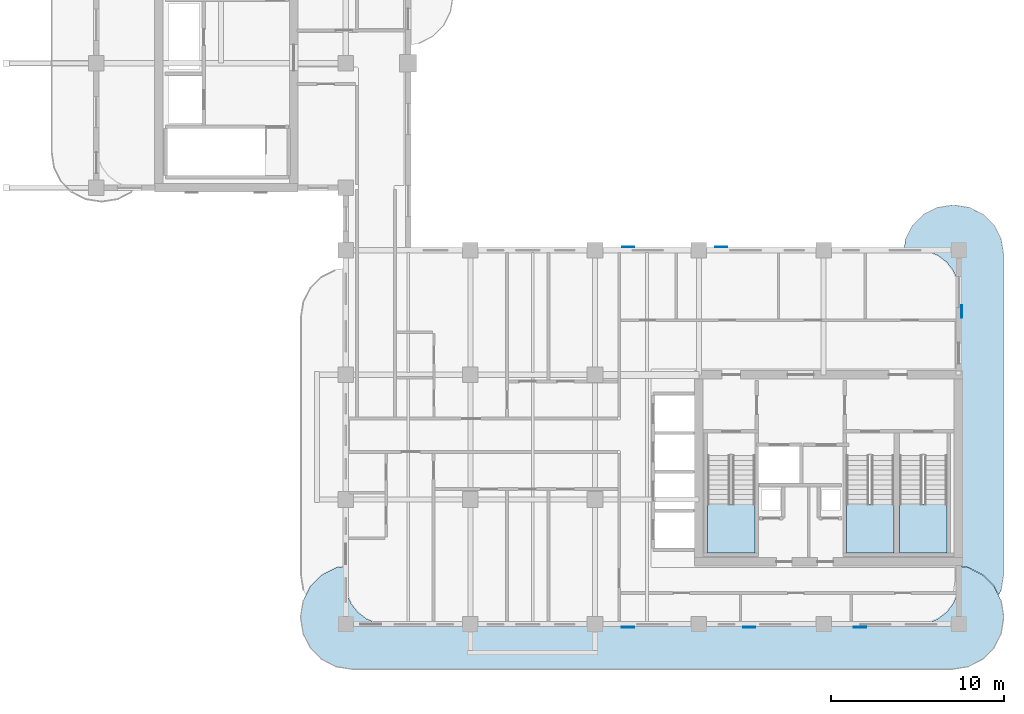
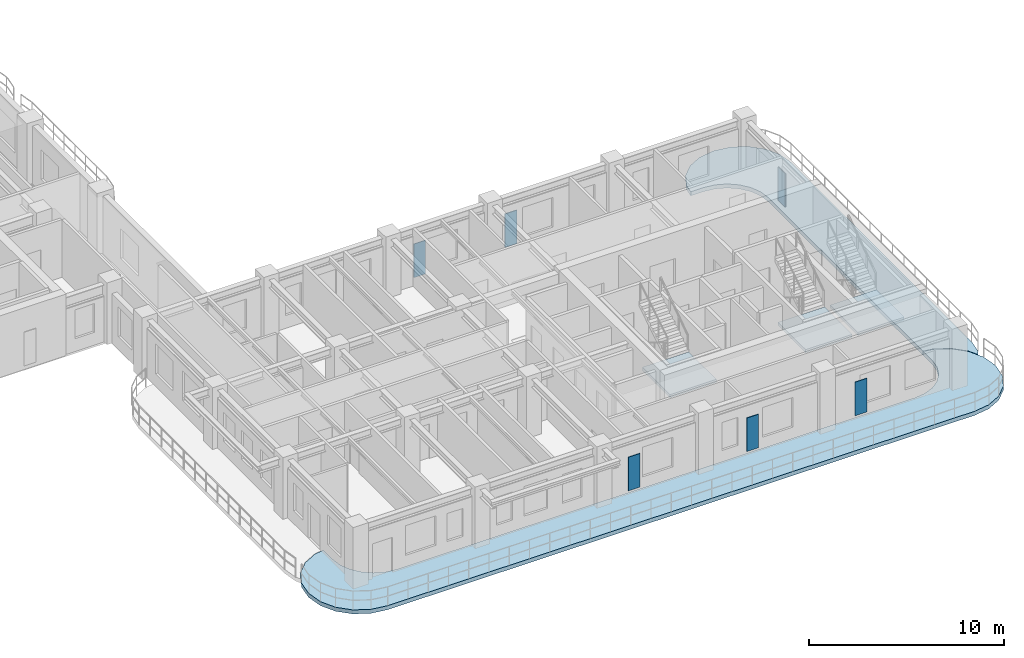
# One storey, part 4 of 14: 6 plates, 5 slabs, 3 elements without a shape of their own.
"""IFC4 building model written with IfcOpenShell, lengths in metres."""

from ifc_helpers import new_model, si_unit, derived_unit, direction, frame, origin, origin_2d, place, context, subcontext, project, spatial, polyline, rectangle, outline, extrude, source, transform, mapped, material, layer, layer_set, type_object, type_shapes, element, aggregate, save


model = new_model("IFC4")

# Units and contexts
model_context = context("Model", 3, precision=1e-05, world=origin(), true_north=direction((0.0, 1.0)))
body_context = subcontext(model_context, "Body", "Model", "MODEL_VIEW")
ifc_project = project(units=[si_unit("LENGTHUNIT", "METRE"), si_unit("AREAUNIT", "SQUARE_METRE"), si_unit("VOLUMEUNIT", "CUBIC_METRE"), si_unit("PLANEANGLEUNIT", "RADIAN"), si_unit("MASSUNIT", "GRAM", prefix="KILO"), si_unit("THERMODYNAMICTEMPERATUREUNIT", "KELVIN"), si_unit("POWERUNIT", "WATT"), derived_unit("THERMALTRANSMITTANCEUNIT", [(si_unit("POWERUNIT", "WATT"), 1), (si_unit("AREAUNIT", "SQUARE_METRE"), -1), (si_unit("THERMODYNAMICTEMPERATUREUNIT", "KELVIN"), -1)])], contexts=[model_context])

# Site, building, storey
site_placement = place(None, origin())
site = spatial("IfcSite", under=ifc_project, at=site_placement, CompositionType="ELEMENT")
building_placement = place(site_placement, origin())
building = spatial("IfcBuilding", under=site, at=building_placement, Name="Zahravan Archway Hotel and Residences", CompositionType="ELEMENT")
storey_placement = place(building_placement, frame((0.0, 0.0, 209.60009765625)))
storey = spatial("IfcBuildingStorey", under=building, at=storey_placement, Name="L52", CompositionType="ELEMENT", Elevation=209.60009765625)

# Slabs
ifc_material_1 = material(Name="Concrete C45/55", Category="concrete")
ifc_layer_1 = layer(ifc_material_1, 0.25, Name="Concrete C45/55", Category="concrete")
ifc_layer_set_1 = layer_set([ifc_layer_1], Name="Concrete C45/55")
slab_type_1 = type_object("IfcSlabType", Name="SLB-BALC-250", PredefinedType="FLOOR", material=ifc_layer_set_1)
slab_1_placement = place(storey_placement, frame((0.0, 0.0, -0.25)))
element("IfcSlab", 1, at=slab_1_placement, inside=storey, type_object=slab_type_1, Name="L52 Wing A South Rounded Balcony Band", PredefinedType="FLOOR", context=body_context, shape_type="SweptSolid", body=[
    extrude(outline(polyline([(50.361572265625, 3.255615234375), (51.18408203125, 2.836669921875), (51.836669921875, 2.18408203125), (52.255615234375, 1.361572265625), (52.39990234375, 0.449951171875), (52.39990234375, 0.35009765625), (52.255615234375, -0.5615234375), (51.836669921875, -1.384033203125), (51.18408203125, -2.03662109375), (50.361572265625, -2.45556640625), (49.449951171875, -2.60009765625), (14.75, -2.60009765625), (13.83837890625, -2.45556640625), (13.01611328125, -2.03662109375), (12.36328125, -1.384033203125), (11.9443359375, -0.5615234375), (11.800048828125, 0.35009765625), (11.800048828125, 0.449951171875), (11.9443359375, 1.361572265625), (12.36328125, 2.18408203125), (13.01611328125, 2.836669921875), (13.83837890625, 3.255615234375), (14.3798828125, 3.34130859375), (14.3798828125, 2.39990234375), (14.380126953125, 2.3974609375), (14.4619140625, 1.776123046875), (14.46240234375, 1.7744140625), (14.462646484375, 1.772705078125), (14.46337890625, 1.77099609375), (14.702880859375, 1.1923828125), (14.703857421875, 1.19091796875), (14.70458984375, 1.189208984375), (14.70556640625, 1.187744140625), (15.0869140625, 0.690673828125), (15.088134765625, 0.689453125), (15.08935546875, 0.688232421875), (15.0908203125, 0.68701171875), (15.587890625, 0.3056640625), (15.58935546875, 0.3046875), (15.5908203125, 0.3037109375), (15.59228515625, 0.302978515625), (16.171142578125, 0.063232421875), (16.1728515625, 0.062744140625), (16.174560546875, 0.062255859375), (16.17626953125, 0.06201171875), (16.79736328125, -0.019775390625), (16.800048828125, -0.02001953125), (47.39990234375, -0.02001953125), (47.402587890625, -0.019775390625), (48.023681640625, 0.06201171875), (48.025390625, 0.062255859375), (48.027099609375, 0.062744140625), (48.02880859375, 0.063232421875), (48.607666015625, 0.302978515625), (48.609130859375, 0.3037109375), (48.610595703125, 0.3046875), (48.6123046875, 0.3056640625), (49.109375, 0.68701171875), (49.110595703125, 0.688232421875), (49.11181640625, 0.689453125), (49.113037109375, 0.690673828125), (49.494384765625, 1.187744140625), (49.495361328125, 1.189208984375), (49.49609375, 1.19091796875), (49.4970703125, 1.1923828125), (49.73681640625, 1.77099609375), (49.7373046875, 1.772705078125), (49.73779296875, 1.7744140625), (49.738037109375, 1.776123046875), (49.81982421875, 2.3974609375), (49.820068359375, 2.39990234375), (49.820068359375, 3.34130859375), (50.361572265625, 3.255615234375)])), origin(), (0.0, 0.0, 1.0), 0.25),
])
slab_2_placement = place(storey_placement, frame((0.0, 0.0, -0.25)))
element("IfcSlab", 2, at=slab_2_placement, inside=storey, type_object=slab_type_1, Name="L52 Wing A East Rounded Balcony Band", PredefinedType="FLOOR", context=body_context, shape_type="SweptSolid", body=[
    extrude(outline(polyline([(46.739501953125, 22.230712890625), (47.144287109375, 23.025146484375), (47.77490234375, 23.65576171875), (48.5693359375, 24.060546875), (49.449951171875, 24.199951171875), (49.550048828125, 24.199951171875), (50.4306640625, 24.060546875), (51.22509765625, 23.65576171875), (51.855712890625, 23.025146484375), (52.260498046875, 22.230712890625), (52.39990234375, 21.35009765625), (52.39990234375, 2.85009765625), (52.260498046875, 1.96923828125), (52.114501953125, 1.6826171875), (51.8544921875, 2.193115234375), (51.853515625, 2.19482421875), (51.85205078125, 2.196533203125), (51.8505859375, 2.197998046875), (51.197998046875, 2.8505859375), (51.196533203125, 2.85205078125), (51.19482421875, 2.853515625), (51.193115234375, 2.8544921875), (50.37060546875, 3.2734375), (50.368896484375, 3.2744140625), (50.36669921875, 3.27490234375), (50.36474609375, 3.275390625), (49.822998046875, 3.361083984375), (49.8212890625, 3.361328125), (49.820068359375, 3.361328125), (49.820068359375, 19.199951171875), (49.81982421875, 19.20263671875), (49.738037109375, 19.82373046875), (49.73779296875, 19.825439453125), (49.7373046875, 19.8271484375), (49.73681640625, 19.828857421875), (49.4970703125, 20.40771484375), (49.49609375, 20.4091796875), (49.495361328125, 20.41064453125), (49.494384765625, 20.412109375), (49.113037109375, 20.9091796875), (49.11181640625, 20.91064453125), (49.110595703125, 20.911865234375), (49.109375, 20.9130859375), (48.6123046875, 21.29443359375), (48.610595703125, 21.29541015625), (48.609130859375, 21.296142578125), (48.607666015625, 21.297119140625), (48.02880859375, 21.53662109375), (48.027099609375, 21.537353515625), (48.025390625, 21.53759765625), (48.023681640625, 21.5380859375), (47.402587890625, 21.619873046875), (47.39990234375, 21.6201171875), (46.642822265625, 21.6201171875), (46.739501953125, 22.230712890625)])), origin(), (0.0, 0.0, 1.0), 0.25),
])

# Stair, slab
ifc_material_2 = material(Name="Concrete C50/60", Category="concrete")
stair_type = type_object("IfcStairType", Name="STR-CORE-1300", PredefinedType="HALF_TURN_STAIR", material=ifc_material_2)
stair_1_placement = place(storey_placement, origin())
stair_1 = element("IfcStair", 3, at=stair_1_placement, inside=storey, type_object=stair_type, Name="L52 Core A Exit Stair 1", PredefinedType="HALF_TURN_STAIR")
ifc_layer_2 = layer(ifc_material_2, 0.199951171875, Name="Concrete C50/60", Category="concrete")
ifc_layer_set_2 = layer_set([ifc_layer_2], Name="Concrete C50/60")
slab_type_2 = type_object("IfcSlabType", Name="SLB-LND-200", PredefinedType="LANDING", material=ifc_layer_set_2)
slab_3_placement = place(storey_placement, frame((0.0, 0.0, 1.724853515625)))
slab_3 = element("IfcSlab", 4, at=slab_3_placement, type_object=slab_type_2, Name="ST-A1 landing 1", PredefinedType="LANDING", context=body_context, shape_type="SweptSolid", body=[
    extrude(outline(polyline([(35.300048828125, 6.929931640625), (35.300048828125, 4.10009765625), (38.0400390625, 4.10009765625), (38.0400390625, 6.929931640625), (35.300048828125, 6.929931640625)])), origin(), (0.0, 0.0, 1.0), 0.199951171875),
])
aggregate(stair_1, [slab_3])

stair_2_placement = place(storey_placement, origin())
stair_2 = element("IfcStair", 5, at=stair_2_placement, inside=storey, type_object=stair_type, Name="L52 Core A Exit Stair 2", PredefinedType="HALF_TURN_STAIR")
slab_4_placement = place(storey_placement, frame((0.0, 0.0, 1.724853515625)))
slab_4 = element("IfcSlab", 6, at=slab_4_placement, type_object=slab_type_2, Name="ST-A2 landing 1", PredefinedType="LANDING", context=body_context, shape_type="SweptSolid", body=[
    extrude(outline(polyline([(43.320068359375, 6.929931640625), (43.320068359375, 4.10009765625), (46.06005859375, 4.10009765625), (46.06005859375, 6.929931640625), (43.320068359375, 6.929931640625)])), origin(), (0.0, 0.0, 1.0), 0.199951171875),
])
aggregate(stair_2, [slab_4])

stair_3_placement = place(storey_placement, origin())
stair_3 = element("IfcStair", 7, at=stair_3_placement, inside=storey, type_object=stair_type, Name="L52 Core A Exit Stair 3", PredefinedType="HALF_TURN_STAIR")
slab_5_placement = place(storey_placement, frame((0.0, 0.0, 1.724853515625)))
slab_5 = element("IfcSlab", 8, at=slab_5_placement, type_object=slab_type_2, Name="ST-A3 landing 1", PredefinedType="LANDING", context=body_context, shape_type="SweptSolid", body=[
    extrude(outline(polyline([(46.39990234375, 6.929931640625), (46.39990234375, 4.10009765625), (49.139892578125, 4.10009765625), (49.139892578125, 6.929931640625), (46.39990234375, 6.929931640625)])), origin(), (0.0, 0.0, 1.0), 0.199951171875),
])
aggregate(stair_3, [slab_5])

# Plates
ifc_material_3 = material(Name="Perforated Cast Bronze Jali Lattice")
ifc_layer_3 = layer(ifc_material_3, 0.044921875, Name="Perforated Cast Bronze Jali Lattice")
ifc_layer_set_3 = layer_set([ifc_layer_3], Name="Perforated Cast Bronze Jali Lattice")
plate_type = type_object("IfcPlateType", Name="PLT-JALI-BAY", PredefinedType="USERDEFINED", material=ifc_layer_set_3)
shared_shape = source(origin(), body_context, "Body", "SweptSolid", [
    extrude(rectangle(XDim=0.699951171875, YDim=0.044921875, at=origin_2d()), origin(), (0.0, 0.0, 1.0), 2.10009765625),
])
type_shapes(plate_type, [shared_shape])
for number, where, z_axis, x_axis, name in (
    (9, (30.7080078125, -0.177978515625, 0.249755859375), (0.0, 0.0, 1.0), (1.0, 0.0, 0.0), "L52 Perforated Bronze Jali Pier Screen 01"),
    (10, (37.7080078125, -0.177978515625, 0.249755859375), (0.0, 0.0, 1.0), (1.0, 0.0, 0.0), "L52 Perforated Bronze Jali Pier Screen 02"),
    (11, (44.10791015625, -0.177978515625, 0.249755859375), (0.0, 0.0, 1.0), (1.0, 0.0, 0.0), "L52 Perforated Bronze Jali Pier Screen 03"),
    (12, (49.97802734375, 18.05908203125, 0.249755859375), (0.0, 0.0, 1.0), (0.0, 1.0, 0.0), "L52 Perforated Bronze Jali Pier Screen 04"),
    (13, (30.708984375, 21.778076171875, 0.249755859375), (0.0, 0.0, 1.0), (1.0, 0.0, 0.0), "L52 Perforated Bronze Jali Pier Screen 05"),
    (14, (36.10009765625, 21.778076171875, 0.249755859375), (0.0, 0.0, 1.0), (1.0, 0.0, 0.0), "L52 Perforated Bronze Jali Pier Screen 06"),
):
    element("IfcPlate", number, at=place(storey_placement, frame(where, z_axis=z_axis, x_axis=x_axis)), inside=storey, type_object=plate_type, Name=name, ObjectType="SCREEN", PredefinedType="USERDEFINED", context=body_context, shape_type="MappedRepresentation", body=[
        mapped(shared_shape, transform((0.0, 0.0, 0.0), scale=1.0)),
    ])

save(model, "model.ifc")
